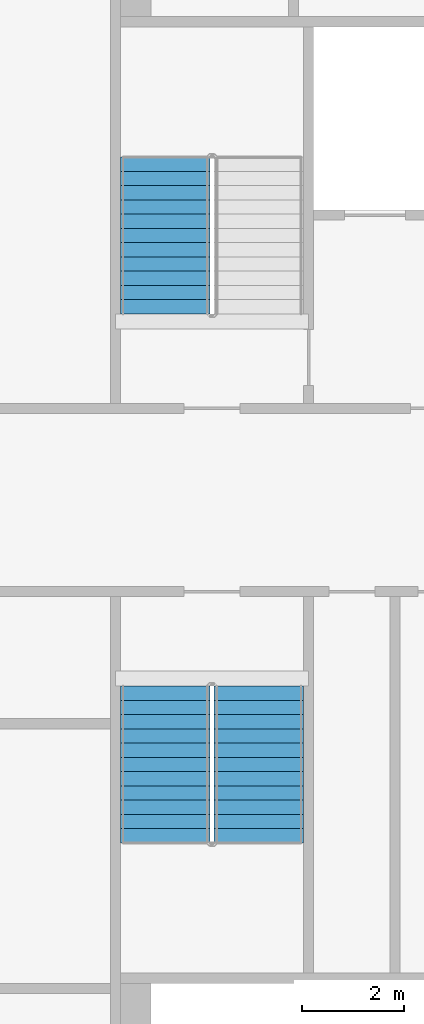
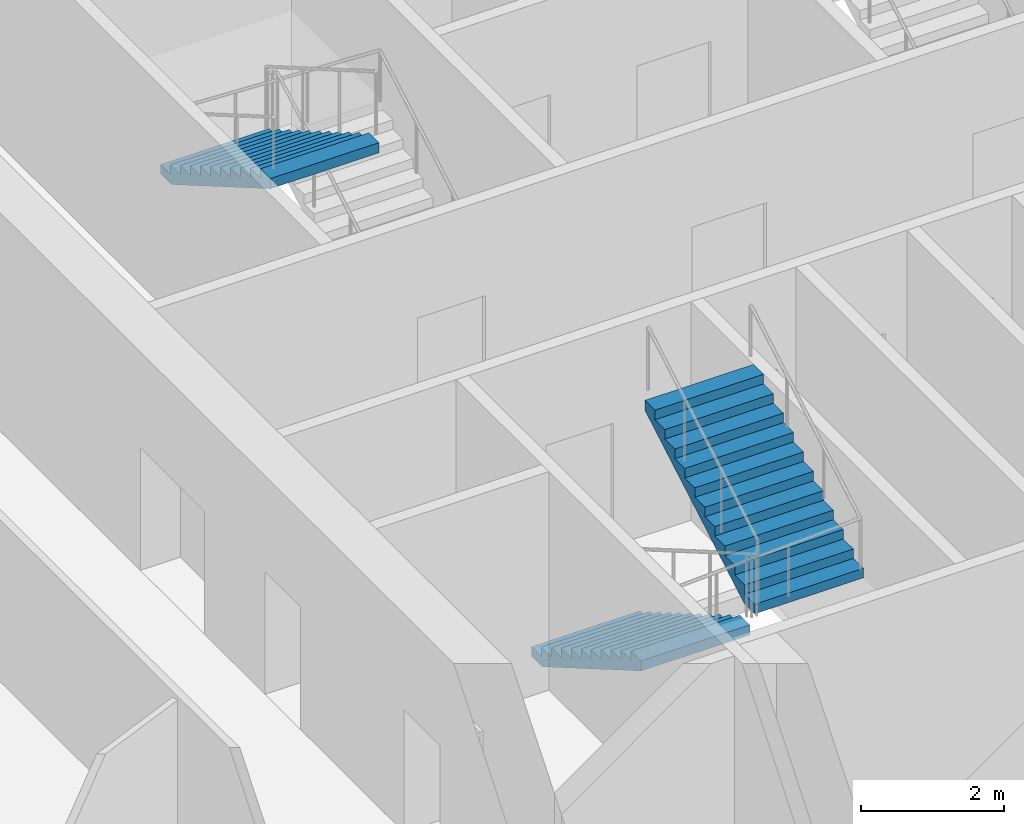
# One storey, part 8 of 15: 3 stair flights, 2 elements without a shape of their own.
"""IFC4 building model written with IfcOpenShell, lengths in metres."""

from ifc_helpers import new_model, si_unit, direction, frame, origin, place, context, subcontext, project, spatial, faceted_brep, material, type_object, element, aggregate, save


model = new_model("IFC4")

# Units and contexts
model_context = context("Model", 3, precision=1e-05, world=origin(), true_north=direction((0.0, 1.0)))
body_context = subcontext(model_context, "Body", "Model", "MODEL_VIEW")
ifc_project = project(units=[si_unit("LENGTHUNIT", "METRE"), si_unit("AREAUNIT", "SQUARE_METRE"), si_unit("VOLUMEUNIT", "CUBIC_METRE"), si_unit("PLANEANGLEUNIT", "RADIAN"), si_unit("MASSUNIT", "GRAM", prefix="KILO")], contexts=[model_context])

# Site, building, storey
site_placement = place(None, origin())
site = spatial("IfcSite", under=ifc_project, at=site_placement, CompositionType="ELEMENT")
building_placement = place(site_placement, origin())
building = spatial("IfcBuilding", under=site, at=building_placement, Name="Tarsis Ring Headquarters", CompositionType="ELEMENT")
storey_placement = place(building_placement, frame((0.0, 0.0, 159.300048828125)))
storey = spatial("IfcBuildingStorey", under=building, at=storey_placement, Name="L36", CompositionType="ELEMENT", Elevation=159.300048828125)

# Stair, stair flight
ifc_material_1 = material(Name="Core stair 1760")
stair_type = type_object("IfcStairType", Name="Core stair 1760", PredefinedType="HALF_TURN_STAIR", material=ifc_material_1)
stair_1_placement = place(storey_placement, origin())
stair_1 = element("IfcStair", 1, at=stair_1_placement, inside=storey, type_object=stair_type, Name="L36 Firefighting stair", PredefinedType="HALF_TURN_STAIR")
ifc_material_2 = material(Name="Concrete C40/50", Category="concrete")
stair_flight_type = type_object("IfcStairFlightType", Name="Core stair flight 1760", PredefinedType="STRAIGHT", material=ifc_material_2)
stair_flight_1_placement = place(storey_placement, frame((-5.419921875, 6.739990234375, 1.949951171875), z_axis=(0.0, 0.0, 1.0), x_axis=(0.0, -1.0, 0.0)))
stair_flight_1 = element("IfcStairFlight", 2, at=stair_flight_1_placement, type_object=stair_flight_type, Name="Stair ST1 flight 2", NumberOfRisers=12, NumberOfTreads=11, PredefinedType="STRAIGHT", RiserHeight=0.1625, TreadLength=0.28, context=body_context, shape_type="Brep", body=[
    faceted_brep([(0.0, 0.8798828125, 0.0), (0.0, 0.8798828125, 0.16259765625), (0.280029296875, 0.8798828125, 0.16259765625), (0.280029296875, 0.8798828125, 0.324951171875), (0.56005859375, 0.8798828125, 0.324951171875), (0.56005859375, 0.8798828125, 0.487548828125), (0.840087890625, 0.8798828125, 0.487548828125), (0.840087890625, 0.8798828125, 0.64990234375), (1.1201171875, 0.8798828125, 0.64990234375), (1.1201171875, 0.8798828125, 0.8125), (1.39990234375, 0.8798828125, 0.8125), (1.39990234375, 0.8798828125, 0.97509765625), (1.679931640625, 0.8798828125, 0.97509765625), (1.679931640625, 0.8798828125, 1.137451171875), (1.9599609375, 0.8798828125, 1.137451171875), (1.9599609375, 0.8798828125, 1.300048828125), (2.239990234375, 0.8798828125, 1.300048828125), (2.239990234375, 0.8798828125, 1.46240234375), (2.52001953125, 0.8798828125, 1.46240234375), (2.52001953125, 0.8798828125, 1.625), (2.800048828125, 0.8798828125, 1.625), (2.800048828125, 0.8798828125, 1.78759765625), (3.080078125, 0.8798828125, 1.78759765625), (3.080078125, 0.8798828125, 1.6142578125), (0.298583984375, 0.8798828125, 0.0), (0.298583984375, -0.8798828125, 0.0), (3.080078125, -0.8798828125, 1.6142578125), (3.080078125, -0.8798828125, 1.78759765625), (2.800048828125, -0.8798828125, 1.78759765625), (2.800048828125, -0.8798828125, 1.625), (2.52001953125, -0.8798828125, 1.625), (2.52001953125, -0.8798828125, 1.46240234375), (2.239990234375, -0.8798828125, 1.46240234375), (2.239990234375, -0.8798828125, 1.300048828125), (1.9599609375, -0.8798828125, 1.300048828125), (1.9599609375, -0.8798828125, 1.137451171875), (1.679931640625, -0.8798828125, 1.137451171875), (1.679931640625, -0.8798828125, 0.97509765625), (1.39990234375, -0.8798828125, 0.97509765625), (1.39990234375, -0.8798828125, 0.8125), (1.1201171875, -0.8798828125, 0.8125), (1.1201171875, -0.8798828125, 0.64990234375), (0.840087890625, -0.8798828125, 0.64990234375), (0.840087890625, -0.8798828125, 0.487548828125), (0.56005859375, -0.8798828125, 0.487548828125), (0.56005859375, -0.8798828125, 0.324951171875), (0.280029296875, -0.8798828125, 0.324951171875), (0.280029296875, -0.8798828125, 0.16259765625), (0.0, -0.8798828125, 0.16259765625), (0.0, -0.8798828125, 0.0), (0.0, -0.43994140625, 0.16259765625), (0.0, -0.43994140625, 0.0), (0.0, 0.0, 0.16259765625), (0.0, 0.0, 0.0), (0.0, 0.43994140625, 0.16259765625), (0.0, 0.43994140625, 0.0), (0.280029296875, -0.43994140625, 0.16259765625), (0.280029296875, 0.0, 0.16259765625), (0.280029296875, 0.43994140625, 0.16259765625), (0.280029296875, -0.43994140625, 0.324951171875), (0.280029296875, 0.0, 0.324951171875), (0.280029296875, 0.43994140625, 0.324951171875), (0.56005859375, -0.43994140625, 0.324951171875), (0.56005859375, 0.0, 0.324951171875), (0.56005859375, 0.43994140625, 0.324951171875), (0.56005859375, -0.43994140625, 0.487548828125), (0.56005859375, 0.0, 0.487548828125), (0.56005859375, 0.43994140625, 0.487548828125), (0.840087890625, -0.43994140625, 0.487548828125), (0.840087890625, 0.0, 0.487548828125), (0.840087890625, 0.43994140625, 0.487548828125), (0.840087890625, -0.43994140625, 0.64990234375), (0.840087890625, 0.0, 0.64990234375), (0.840087890625, 0.43994140625, 0.64990234375), (1.1201171875, -0.43994140625, 0.64990234375), (1.1201171875, 0.0, 0.64990234375), (1.1201171875, 0.43994140625, 0.64990234375), (1.1201171875, -0.43994140625, 0.8125), (1.1201171875, 0.0, 0.8125), (1.1201171875, 0.43994140625, 0.8125), (1.39990234375, -0.43994140625, 0.8125), (1.39990234375, 0.0, 0.8125), (1.39990234375, 0.43994140625, 0.8125), (1.39990234375, -0.43994140625, 0.97509765625), (1.39990234375, 0.0, 0.97509765625), (1.39990234375, 0.43994140625, 0.97509765625), (1.679931640625, -0.43994140625, 0.97509765625), (1.679931640625, 0.0, 0.97509765625), (1.679931640625, 0.43994140625, 0.97509765625), (1.679931640625, -0.43994140625, 1.137451171875), (1.679931640625, 0.0, 1.137451171875), (1.679931640625, 0.43994140625, 1.137451171875), (1.9599609375, -0.43994140625, 1.137451171875), (1.9599609375, 0.0, 1.137451171875), (1.9599609375, 0.43994140625, 1.137451171875), (1.9599609375, -0.43994140625, 1.300048828125), (1.9599609375, 0.0, 1.300048828125), (1.9599609375, 0.43994140625, 1.300048828125), (2.239990234375, -0.43994140625, 1.300048828125), (2.239990234375, 0.0, 1.300048828125), (2.239990234375, 0.43994140625, 1.300048828125), (2.239990234375, -0.43994140625, 1.46240234375), (2.239990234375, 0.0, 1.46240234375), (2.239990234375, 0.43994140625, 1.46240234375), (2.52001953125, -0.43994140625, 1.46240234375), (2.52001953125, 0.0, 1.46240234375), (2.52001953125, 0.43994140625, 1.46240234375), (2.52001953125, -0.43994140625, 1.625), (2.52001953125, 0.0, 1.625), (2.52001953125, 0.43994140625, 1.625), (2.800048828125, -0.43994140625, 1.625), (2.800048828125, 0.0, 1.625), (2.800048828125, 0.43994140625, 1.625), (2.800048828125, -0.43994140625, 1.78759765625), (2.800048828125, 0.0, 1.78759765625), (2.800048828125, 0.43994140625, 1.78759765625), (3.080078125, -0.43994140625, 1.78759765625), (3.080078125, 0.0, 1.78759765625), (3.080078125, 0.43994140625, 1.78759765625), (3.080078125, -0.43994140625, 1.6142578125), (3.080078125, 0.0, 1.6142578125), (3.080078125, 0.43994140625, 1.6142578125), (0.298583984375, -0.43994140625, 0.0), (0.298583984375, 0.0, 0.0), (0.298583984375, 0.43994140625, 0.0)], [[[0, 1, 2, 3, 4, 5, 6, 7, 8, 9, 10, 11, 12, 13, 14, 15, 16, 17, 18, 19, 20, 21, 22, 23, 24]], [[25, 26, 27, 28, 29, 30, 31, 32, 33, 34, 35, 36, 37, 38, 39, 40, 41, 42, 43, 44, 45, 46, 47, 48, 49]], [[49, 48, 50, 51]], [[51, 50, 52, 53]], [[53, 52, 54, 55]], [[55, 54, 1, 0]], [[48, 47, 56, 50]], [[50, 56, 57, 52]], [[52, 57, 58, 54]], [[54, 58, 2, 1]], [[47, 46, 59, 56]], [[56, 59, 60, 57]], [[57, 60, 61, 58]], [[58, 61, 3, 2]], [[46, 45, 62, 59]], [[59, 62, 63, 60]], [[60, 63, 64, 61]], [[61, 64, 4, 3]], [[45, 44, 65, 62]], [[62, 65, 66, 63]], [[63, 66, 67, 64]], [[64, 67, 5, 4]], [[44, 43, 68, 65]], [[65, 68, 69, 66]], [[66, 69, 70, 67]], [[67, 70, 6, 5]], [[43, 42, 71, 68]], [[68, 71, 72, 69]], [[69, 72, 73, 70]], [[70, 73, 7, 6]], [[42, 41, 74, 71]], [[71, 74, 75, 72]], [[72, 75, 76, 73]], [[73, 76, 8, 7]], [[41, 40, 77, 74]], [[74, 77, 78, 75]], [[75, 78, 79, 76]], [[76, 79, 9, 8]], [[40, 39, 80, 77]], [[77, 80, 81, 78]], [[78, 81, 82, 79]], [[79, 82, 10, 9]], [[39, 38, 83, 80]], [[80, 83, 84, 81]], [[81, 84, 85, 82]], [[82, 85, 11, 10]], [[38, 37, 86, 83]], [[83, 86, 87, 84]], [[84, 87, 88, 85]], [[85, 88, 12, 11]], [[37, 36, 89, 86]], [[86, 89, 90, 87]], [[87, 90, 91, 88]], [[88, 91, 13, 12]], [[36, 35, 92, 89]], [[89, 92, 93, 90]], [[90, 93, 94, 91]], [[91, 94, 14, 13]], [[35, 34, 95, 92]], [[92, 95, 96, 93]], [[93, 96, 97, 94]], [[94, 97, 15, 14]], [[34, 33, 98, 95]], [[95, 98, 99, 96]], [[96, 99, 100, 97]], [[97, 100, 16, 15]], [[33, 32, 101, 98]], [[98, 101, 102, 99]], [[99, 102, 103, 100]], [[100, 103, 17, 16]], [[32, 31, 104, 101]], [[101, 104, 105, 102]], [[102, 105, 106, 103]], [[103, 106, 18, 17]], [[31, 30, 107, 104]], [[104, 107, 108, 105]], [[105, 108, 109, 106]], [[106, 109, 19, 18]], [[30, 29, 110, 107]], [[107, 110, 111, 108]], [[108, 111, 112, 109]], [[109, 112, 20, 19]], [[29, 28, 113, 110]], [[110, 113, 114, 111]], [[111, 114, 115, 112]], [[112, 115, 21, 20]], [[28, 27, 116, 113]], [[113, 116, 117, 114]], [[114, 117, 118, 115]], [[115, 118, 22, 21]], [[27, 26, 119, 116]], [[116, 119, 120, 117]], [[117, 120, 121, 118]], [[118, 121, 23, 22]], [[26, 25, 122, 119]], [[119, 122, 123, 120]], [[120, 123, 124, 121]], [[121, 124, 24, 23]], [[25, 49, 51, 122]], [[122, 51, 53, 123]], [[123, 53, 55, 124]], [[124, 55, 0, 24]]]),
])
aggregate(stair_1, [stair_flight_1])

# Stair, stair flights
stair_2_placement = place(storey_placement, origin())
stair_2 = element("IfcStair", 3, at=stair_2_placement, inside=storey, type_object=stair_type, Name="L36 Exit stair C", PredefinedType="HALF_TURN_STAIR")
stair_flight_2_placement = place(storey_placement, frame((-5.419921875, -3.659912109375, 0.0), z_axis=(0.0, 0.0, 1.0), x_axis=(0.0, -1.0, 0.0)))
stair_flight_2 = element("IfcStairFlight", 4, at=stair_flight_2_placement, type_object=stair_flight_type, Name="Stair ST3 flight 1", NumberOfRisers=12, NumberOfTreads=11, PredefinedType="STRAIGHT", RiserHeight=0.1625, TreadLength=0.28, context=body_context, shape_type="Brep", body=[
    faceted_brep([(0.0, 0.8798828125, 0.0), (0.0, 0.8798828125, 0.16259765625), (0.280029296875, 0.8798828125, 0.16259765625), (0.280029296875, 0.8798828125, 0.324951171875), (0.56005859375, 0.8798828125, 0.324951171875), (0.56005859375, 0.8798828125, 0.487548828125), (0.840087890625, 0.8798828125, 0.487548828125), (0.840087890625, 0.8798828125, 0.64990234375), (1.1201171875, 0.8798828125, 0.64990234375), (1.1201171875, 0.8798828125, 0.8125), (1.39990234375, 0.8798828125, 0.8125), (1.39990234375, 0.8798828125, 0.97509765625), (1.679931640625, 0.8798828125, 0.97509765625), (1.679931640625, 0.8798828125, 1.137451171875), (1.9599609375, 0.8798828125, 1.137451171875), (1.9599609375, 0.8798828125, 1.300048828125), (2.239990234375, 0.8798828125, 1.300048828125), (2.239990234375, 0.8798828125, 1.46240234375), (2.52001953125, 0.8798828125, 1.46240234375), (2.52001953125, 0.8798828125, 1.625), (2.800048828125, 0.8798828125, 1.625), (2.800048828125, 0.8798828125, 1.78759765625), (3.080078125, 0.8798828125, 1.78759765625), (3.080078125, 0.8798828125, 1.6142578125), (0.298583984375, 0.8798828125, 0.0), (0.298583984375, -0.8798828125, 0.0), (3.080078125, -0.8798828125, 1.6142578125), (3.080078125, -0.8798828125, 1.78759765625), (2.800048828125, -0.8798828125, 1.78759765625), (2.800048828125, -0.8798828125, 1.625), (2.52001953125, -0.8798828125, 1.625), (2.52001953125, -0.8798828125, 1.46240234375), (2.239990234375, -0.8798828125, 1.46240234375), (2.239990234375, -0.8798828125, 1.300048828125), (1.9599609375, -0.8798828125, 1.300048828125), (1.9599609375, -0.8798828125, 1.137451171875), (1.679931640625, -0.8798828125, 1.137451171875), (1.679931640625, -0.8798828125, 0.97509765625), (1.39990234375, -0.8798828125, 0.97509765625), (1.39990234375, -0.8798828125, 0.8125), (1.1201171875, -0.8798828125, 0.8125), (1.1201171875, -0.8798828125, 0.64990234375), (0.840087890625, -0.8798828125, 0.64990234375), (0.840087890625, -0.8798828125, 0.487548828125), (0.56005859375, -0.8798828125, 0.487548828125), (0.56005859375, -0.8798828125, 0.324951171875), (0.280029296875, -0.8798828125, 0.324951171875), (0.280029296875, -0.8798828125, 0.16259765625), (0.0, -0.8798828125, 0.16259765625), (0.0, -0.8798828125, 0.0), (0.0, -0.43994140625, 0.16259765625), (0.0, -0.43994140625, 0.0), (0.0, 0.0, 0.16259765625), (0.0, 0.0, 0.0), (0.0, 0.43994140625, 0.16259765625), (0.0, 0.43994140625, 0.0), (0.280029296875, -0.43994140625, 0.16259765625), (0.280029296875, 0.0, 0.16259765625), (0.280029296875, 0.43994140625, 0.16259765625), (0.280029296875, -0.43994140625, 0.324951171875), (0.280029296875, 0.0, 0.324951171875), (0.280029296875, 0.43994140625, 0.324951171875), (0.56005859375, -0.43994140625, 0.324951171875), (0.56005859375, 0.0, 0.324951171875), (0.56005859375, 0.43994140625, 0.324951171875), (0.56005859375, -0.43994140625, 0.487548828125), (0.56005859375, 0.0, 0.487548828125), (0.56005859375, 0.43994140625, 0.487548828125), (0.840087890625, -0.43994140625, 0.487548828125), (0.840087890625, 0.0, 0.487548828125), (0.840087890625, 0.43994140625, 0.487548828125), (0.840087890625, -0.43994140625, 0.64990234375), (0.840087890625, 0.0, 0.64990234375), (0.840087890625, 0.43994140625, 0.64990234375), (1.1201171875, -0.43994140625, 0.64990234375), (1.1201171875, 0.0, 0.64990234375), (1.1201171875, 0.43994140625, 0.64990234375), (1.1201171875, -0.43994140625, 0.8125), (1.1201171875, 0.0, 0.8125), (1.1201171875, 0.43994140625, 0.8125), (1.39990234375, -0.43994140625, 0.8125), (1.39990234375, 0.0, 0.8125), (1.39990234375, 0.43994140625, 0.8125), (1.39990234375, -0.43994140625, 0.97509765625), (1.39990234375, 0.0, 0.97509765625), (1.39990234375, 0.43994140625, 0.97509765625), (1.679931640625, -0.43994140625, 0.97509765625), (1.679931640625, 0.0, 0.97509765625), (1.679931640625, 0.43994140625, 0.97509765625), (1.679931640625, -0.43994140625, 1.137451171875), (1.679931640625, 0.0, 1.137451171875), (1.679931640625, 0.43994140625, 1.137451171875), (1.9599609375, -0.43994140625, 1.137451171875), (1.9599609375, 0.0, 1.137451171875), (1.9599609375, 0.43994140625, 1.137451171875), (1.9599609375, -0.43994140625, 1.300048828125), (1.9599609375, 0.0, 1.300048828125), (1.9599609375, 0.43994140625, 1.300048828125), (2.239990234375, -0.43994140625, 1.300048828125), (2.239990234375, 0.0, 1.300048828125), (2.239990234375, 0.43994140625, 1.300048828125), (2.239990234375, -0.43994140625, 1.46240234375), (2.239990234375, 0.0, 1.46240234375), (2.239990234375, 0.43994140625, 1.46240234375), (2.52001953125, -0.43994140625, 1.46240234375), (2.52001953125, 0.0, 1.46240234375), (2.52001953125, 0.43994140625, 1.46240234375), (2.52001953125, -0.43994140625, 1.625), (2.52001953125, 0.0, 1.625), (2.52001953125, 0.43994140625, 1.625), (2.800048828125, -0.43994140625, 1.625), (2.800048828125, 0.0, 1.625), (2.800048828125, 0.43994140625, 1.625), (2.800048828125, -0.43994140625, 1.78759765625), (2.800048828125, 0.0, 1.78759765625), (2.800048828125, 0.43994140625, 1.78759765625), (3.080078125, -0.43994140625, 1.78759765625), (3.080078125, 0.0, 1.78759765625), (3.080078125, 0.43994140625, 1.78759765625), (3.080078125, -0.43994140625, 1.6142578125), (3.080078125, 0.0, 1.6142578125), (3.080078125, 0.43994140625, 1.6142578125), (0.298583984375, -0.43994140625, 0.0), (0.298583984375, 0.0, 0.0), (0.298583984375, 0.43994140625, 0.0)], [[[0, 1, 2, 3, 4, 5, 6, 7, 8, 9, 10, 11, 12, 13, 14, 15, 16, 17, 18, 19, 20, 21, 22, 23, 24]], [[25, 26, 27, 28, 29, 30, 31, 32, 33, 34, 35, 36, 37, 38, 39, 40, 41, 42, 43, 44, 45, 46, 47, 48, 49]], [[49, 48, 50, 51]], [[51, 50, 52, 53]], [[53, 52, 54, 55]], [[55, 54, 1, 0]], [[48, 47, 56, 50]], [[50, 56, 57, 52]], [[52, 57, 58, 54]], [[54, 58, 2, 1]], [[47, 46, 59, 56]], [[56, 59, 60, 57]], [[57, 60, 61, 58]], [[58, 61, 3, 2]], [[46, 45, 62, 59]], [[59, 62, 63, 60]], [[60, 63, 64, 61]], [[61, 64, 4, 3]], [[45, 44, 65, 62]], [[62, 65, 66, 63]], [[63, 66, 67, 64]], [[64, 67, 5, 4]], [[44, 43, 68, 65]], [[65, 68, 69, 66]], [[66, 69, 70, 67]], [[67, 70, 6, 5]], [[43, 42, 71, 68]], [[68, 71, 72, 69]], [[69, 72, 73, 70]], [[70, 73, 7, 6]], [[42, 41, 74, 71]], [[71, 74, 75, 72]], [[72, 75, 76, 73]], [[73, 76, 8, 7]], [[41, 40, 77, 74]], [[74, 77, 78, 75]], [[75, 78, 79, 76]], [[76, 79, 9, 8]], [[40, 39, 80, 77]], [[77, 80, 81, 78]], [[78, 81, 82, 79]], [[79, 82, 10, 9]], [[39, 38, 83, 80]], [[80, 83, 84, 81]], [[81, 84, 85, 82]], [[82, 85, 11, 10]], [[38, 37, 86, 83]], [[83, 86, 87, 84]], [[84, 87, 88, 85]], [[85, 88, 12, 11]], [[37, 36, 89, 86]], [[86, 89, 90, 87]], [[87, 90, 91, 88]], [[88, 91, 13, 12]], [[36, 35, 92, 89]], [[89, 92, 93, 90]], [[90, 93, 94, 91]], [[91, 94, 14, 13]], [[35, 34, 95, 92]], [[92, 95, 96, 93]], [[93, 96, 97, 94]], [[94, 97, 15, 14]], [[34, 33, 98, 95]], [[95, 98, 99, 96]], [[96, 99, 100, 97]], [[97, 100, 16, 15]], [[33, 32, 101, 98]], [[98, 101, 102, 99]], [[99, 102, 103, 100]], [[100, 103, 17, 16]], [[32, 31, 104, 101]], [[101, 104, 105, 102]], [[102, 105, 106, 103]], [[103, 106, 18, 17]], [[31, 30, 107, 104]], [[104, 107, 108, 105]], [[105, 108, 109, 106]], [[106, 109, 19, 18]], [[30, 29, 110, 107]], [[107, 110, 111, 108]], [[108, 111, 112, 109]], [[109, 112, 20, 19]], [[29, 28, 113, 110]], [[110, 113, 114, 111]], [[111, 114, 115, 112]], [[112, 115, 21, 20]], [[28, 27, 116, 113]], [[113, 116, 117, 114]], [[114, 117, 118, 115]], [[115, 118, 22, 21]], [[27, 26, 119, 116]], [[116, 119, 120, 117]], [[117, 120, 121, 118]], [[118, 121, 23, 22]], [[26, 25, 122, 119]], [[119, 122, 123, 120]], [[120, 123, 124, 121]], [[121, 124, 24, 23]], [[25, 49, 51, 122]], [[122, 51, 53, 123]], [[123, 53, 55, 124]], [[124, 55, 0, 24]]]),
])
stair_flight_3_placement = place(storey_placement, frame((-3.580078125, -6.739990234375, 1.949951171875), z_axis=(0.0, 0.0, 1.0), x_axis=(0.0, 1.0, 0.0)))
stair_flight_3 = element("IfcStairFlight", 5, at=stair_flight_3_placement, type_object=stair_flight_type, Name="Stair ST3 flight 2", NumberOfRisers=12, NumberOfTreads=11, PredefinedType="STRAIGHT", RiserHeight=0.1625, TreadLength=0.28, context=body_context, shape_type="Brep", body=[
    faceted_brep([(0.0, 0.8798828125, 0.0), (0.0, 0.8798828125, 0.16259765625), (0.280029296875, 0.8798828125, 0.16259765625), (0.280029296875, 0.8798828125, 0.324951171875), (0.56005859375, 0.8798828125, 0.324951171875), (0.56005859375, 0.8798828125, 0.487548828125), (0.840087890625, 0.8798828125, 0.487548828125), (0.840087890625, 0.8798828125, 0.64990234375), (1.1201171875, 0.8798828125, 0.64990234375), (1.1201171875, 0.8798828125, 0.8125), (1.39990234375, 0.8798828125, 0.8125), (1.39990234375, 0.8798828125, 0.97509765625), (1.679931640625, 0.8798828125, 0.97509765625), (1.679931640625, 0.8798828125, 1.137451171875), (1.9599609375, 0.8798828125, 1.137451171875), (1.9599609375, 0.8798828125, 1.300048828125), (2.239990234375, 0.8798828125, 1.300048828125), (2.239990234375, 0.8798828125, 1.46240234375), (2.52001953125, 0.8798828125, 1.46240234375), (2.52001953125, 0.8798828125, 1.625), (2.800048828125, 0.8798828125, 1.625), (2.800048828125, 0.8798828125, 1.78759765625), (3.080078125, 0.8798828125, 1.78759765625), (3.080078125, 0.8798828125, 1.6142578125), (0.298583984375, 0.8798828125, 0.0), (0.298583984375, -0.8798828125, 0.0), (3.080078125, -0.8798828125, 1.6142578125), (3.080078125, -0.8798828125, 1.78759765625), (2.800048828125, -0.8798828125, 1.78759765625), (2.800048828125, -0.8798828125, 1.625), (2.52001953125, -0.8798828125, 1.625), (2.52001953125, -0.8798828125, 1.46240234375), (2.239990234375, -0.8798828125, 1.46240234375), (2.239990234375, -0.8798828125, 1.300048828125), (1.9599609375, -0.8798828125, 1.300048828125), (1.9599609375, -0.8798828125, 1.137451171875), (1.679931640625, -0.8798828125, 1.137451171875), (1.679931640625, -0.8798828125, 0.97509765625), (1.39990234375, -0.8798828125, 0.97509765625), (1.39990234375, -0.8798828125, 0.8125), (1.1201171875, -0.8798828125, 0.8125), (1.1201171875, -0.8798828125, 0.64990234375), (0.840087890625, -0.8798828125, 0.64990234375), (0.840087890625, -0.8798828125, 0.487548828125), (0.56005859375, -0.8798828125, 0.487548828125), (0.56005859375, -0.8798828125, 0.324951171875), (0.280029296875, -0.8798828125, 0.324951171875), (0.280029296875, -0.8798828125, 0.16259765625), (0.0, -0.8798828125, 0.16259765625), (0.0, -0.8798828125, 0.0), (0.0, -0.43994140625, 0.16259765625), (0.0, -0.43994140625, 0.0), (0.0, 0.0, 0.16259765625), (0.0, 0.0, 0.0), (0.0, 0.43994140625, 0.16259765625), (0.0, 0.43994140625, 0.0), (0.280029296875, -0.43994140625, 0.16259765625), (0.280029296875, 0.0, 0.16259765625), (0.280029296875, 0.43994140625, 0.16259765625), (0.280029296875, -0.43994140625, 0.324951171875), (0.280029296875, 0.0, 0.324951171875), (0.280029296875, 0.43994140625, 0.324951171875), (0.56005859375, -0.43994140625, 0.324951171875), (0.56005859375, 0.0, 0.324951171875), (0.56005859375, 0.43994140625, 0.324951171875), (0.56005859375, -0.43994140625, 0.487548828125), (0.56005859375, 0.0, 0.487548828125), (0.56005859375, 0.43994140625, 0.487548828125), (0.840087890625, -0.43994140625, 0.487548828125), (0.840087890625, 0.0, 0.487548828125), (0.840087890625, 0.43994140625, 0.487548828125), (0.840087890625, -0.43994140625, 0.64990234375), (0.840087890625, 0.0, 0.64990234375), (0.840087890625, 0.43994140625, 0.64990234375), (1.1201171875, -0.43994140625, 0.64990234375), (1.1201171875, 0.0, 0.64990234375), (1.1201171875, 0.43994140625, 0.64990234375), (1.1201171875, -0.43994140625, 0.8125), (1.1201171875, 0.0, 0.8125), (1.1201171875, 0.43994140625, 0.8125), (1.39990234375, -0.43994140625, 0.8125), (1.39990234375, 0.0, 0.8125), (1.39990234375, 0.43994140625, 0.8125), (1.39990234375, -0.43994140625, 0.97509765625), (1.39990234375, 0.0, 0.97509765625), (1.39990234375, 0.43994140625, 0.97509765625), (1.679931640625, -0.43994140625, 0.97509765625), (1.679931640625, 0.0, 0.97509765625), (1.679931640625, 0.43994140625, 0.97509765625), (1.679931640625, -0.43994140625, 1.137451171875), (1.679931640625, 0.0, 1.137451171875), (1.679931640625, 0.43994140625, 1.137451171875), (1.9599609375, -0.43994140625, 1.137451171875), (1.9599609375, 0.0, 1.137451171875), (1.9599609375, 0.43994140625, 1.137451171875), (1.9599609375, -0.43994140625, 1.300048828125), (1.9599609375, 0.0, 1.300048828125), (1.9599609375, 0.43994140625, 1.300048828125), (2.239990234375, -0.43994140625, 1.300048828125), (2.239990234375, 0.0, 1.300048828125), (2.239990234375, 0.43994140625, 1.300048828125), (2.239990234375, -0.43994140625, 1.46240234375), (2.239990234375, 0.0, 1.46240234375), (2.239990234375, 0.43994140625, 1.46240234375), (2.52001953125, -0.43994140625, 1.46240234375), (2.52001953125, 0.0, 1.46240234375), (2.52001953125, 0.43994140625, 1.46240234375), (2.52001953125, -0.43994140625, 1.625), (2.52001953125, 0.0, 1.625), (2.52001953125, 0.43994140625, 1.625), (2.800048828125, -0.43994140625, 1.625), (2.800048828125, 0.0, 1.625), (2.800048828125, 0.43994140625, 1.625), (2.800048828125, -0.43994140625, 1.78759765625), (2.800048828125, 0.0, 1.78759765625), (2.800048828125, 0.43994140625, 1.78759765625), (3.080078125, -0.43994140625, 1.78759765625), (3.080078125, 0.0, 1.78759765625), (3.080078125, 0.43994140625, 1.78759765625), (3.080078125, -0.43994140625, 1.6142578125), (3.080078125, 0.0, 1.6142578125), (3.080078125, 0.43994140625, 1.6142578125), (0.298583984375, -0.43994140625, 0.0), (0.298583984375, 0.0, 0.0), (0.298583984375, 0.43994140625, 0.0)], [[[0, 1, 2, 3, 4, 5, 6, 7, 8, 9, 10, 11, 12, 13, 14, 15, 16, 17, 18, 19, 20, 21, 22, 23, 24]], [[25, 26, 27, 28, 29, 30, 31, 32, 33, 34, 35, 36, 37, 38, 39, 40, 41, 42, 43, 44, 45, 46, 47, 48, 49]], [[49, 48, 50, 51]], [[51, 50, 52, 53]], [[53, 52, 54, 55]], [[55, 54, 1, 0]], [[48, 47, 56, 50]], [[50, 56, 57, 52]], [[52, 57, 58, 54]], [[54, 58, 2, 1]], [[47, 46, 59, 56]], [[56, 59, 60, 57]], [[57, 60, 61, 58]], [[58, 61, 3, 2]], [[46, 45, 62, 59]], [[59, 62, 63, 60]], [[60, 63, 64, 61]], [[61, 64, 4, 3]], [[45, 44, 65, 62]], [[62, 65, 66, 63]], [[63, 66, 67, 64]], [[64, 67, 5, 4]], [[44, 43, 68, 65]], [[65, 68, 69, 66]], [[66, 69, 70, 67]], [[67, 70, 6, 5]], [[43, 42, 71, 68]], [[68, 71, 72, 69]], [[69, 72, 73, 70]], [[70, 73, 7, 6]], [[42, 41, 74, 71]], [[71, 74, 75, 72]], [[72, 75, 76, 73]], [[73, 76, 8, 7]], [[41, 40, 77, 74]], [[74, 77, 78, 75]], [[75, 78, 79, 76]], [[76, 79, 9, 8]], [[40, 39, 80, 77]], [[77, 80, 81, 78]], [[78, 81, 82, 79]], [[79, 82, 10, 9]], [[39, 38, 83, 80]], [[80, 83, 84, 81]], [[81, 84, 85, 82]], [[82, 85, 11, 10]], [[38, 37, 86, 83]], [[83, 86, 87, 84]], [[84, 87, 88, 85]], [[85, 88, 12, 11]], [[37, 36, 89, 86]], [[86, 89, 90, 87]], [[87, 90, 91, 88]], [[88, 91, 13, 12]], [[36, 35, 92, 89]], [[89, 92, 93, 90]], [[90, 93, 94, 91]], [[91, 94, 14, 13]], [[35, 34, 95, 92]], [[92, 95, 96, 93]], [[93, 96, 97, 94]], [[94, 97, 15, 14]], [[34, 33, 98, 95]], [[95, 98, 99, 96]], [[96, 99, 100, 97]], [[97, 100, 16, 15]], [[33, 32, 101, 98]], [[98, 101, 102, 99]], [[99, 102, 103, 100]], [[100, 103, 17, 16]], [[32, 31, 104, 101]], [[101, 104, 105, 102]], [[102, 105, 106, 103]], [[103, 106, 18, 17]], [[31, 30, 107, 104]], [[104, 107, 108, 105]], [[105, 108, 109, 106]], [[106, 109, 19, 18]], [[30, 29, 110, 107]], [[107, 110, 111, 108]], [[108, 111, 112, 109]], [[109, 112, 20, 19]], [[29, 28, 113, 110]], [[110, 113, 114, 111]], [[111, 114, 115, 112]], [[112, 115, 21, 20]], [[28, 27, 116, 113]], [[113, 116, 117, 114]], [[114, 117, 118, 115]], [[115, 118, 22, 21]], [[27, 26, 119, 116]], [[116, 119, 120, 117]], [[117, 120, 121, 118]], [[118, 121, 23, 22]], [[26, 25, 122, 119]], [[119, 122, 123, 120]], [[120, 123, 124, 121]], [[121, 124, 24, 23]], [[25, 49, 51, 122]], [[122, 51, 53, 123]], [[123, 53, 55, 124]], [[124, 55, 0, 24]]]),
])
aggregate(stair_2, [stair_flight_2, stair_flight_3])

save(model, "model.ifc")
